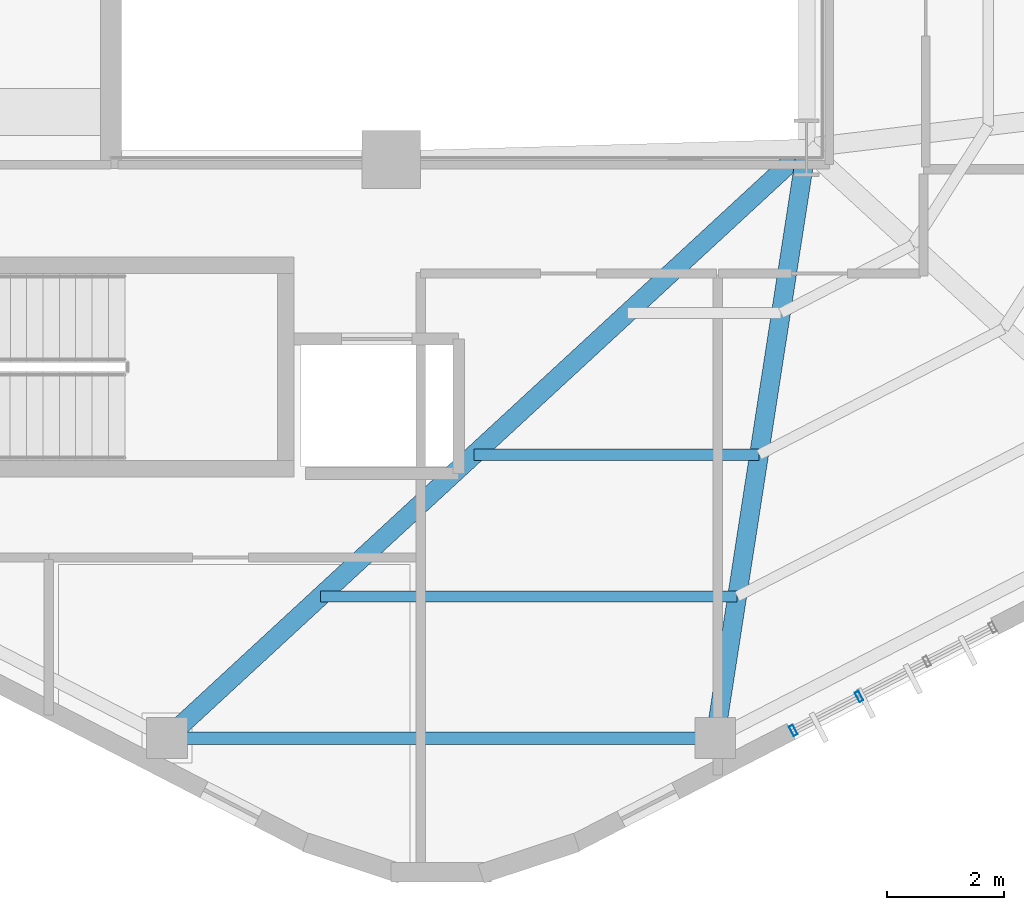
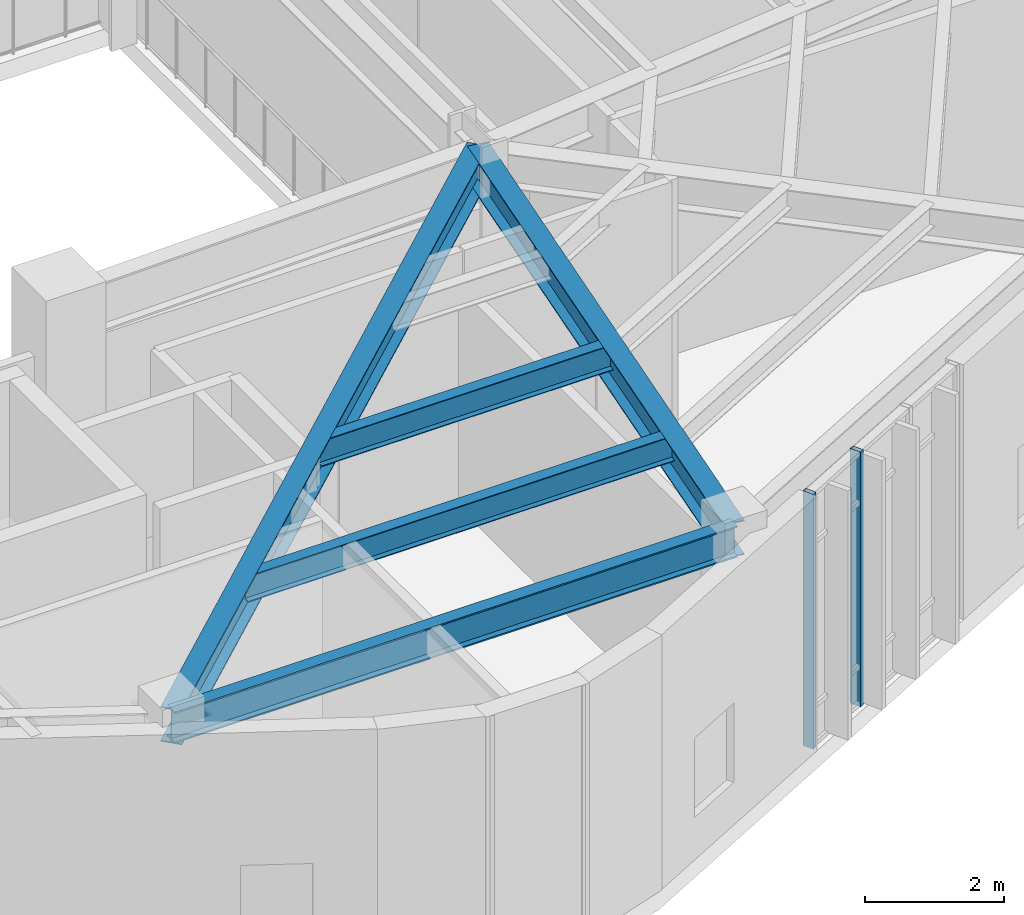
# One storey, part 3 of 18: 5 beams, 2 members, 1 element without a shape of its own.
"""IFC4 building model written with IfcOpenShell, lengths in metres."""

import ifcopenshell
import ifcopenshell.guid

model = None  # the IFC model being written
_history = None  # IfcOwnerHistory: only IFC2X3 demands one
_inside = {}  # id of a spatial element -> (the spatial element, [elements in it])
_under = {}  # id of a project, library or spatial element -> (it, [spatial elements below it])
_declared = {}  # id of a project -> (the project, [libraries it declares])
_typed = {}  # id of a type object -> (the type object, [elements of that type])
_made_of = {}  # id of a material, layer set ... -> (it, [elements and type objects made of it])


def new_model(schema):
    """Start an empty IFC model of exactly this schema.

    Asked for "IFC4X3", IfcOpenShell would pick the latest addendum, in which some entities
    have other attributes; the version numbers below select the first issue.
    IFC2X3 requires an IfcOwnerHistory on every rooted entity: one is made here for all.
    """
    global model, _history
    if schema == "IFC4X3":
        model = ifcopenshell.file(schema_version=(4, 3, 0, 0))
    else:
        model = ifcopenshell.file(schema=schema)
    _inside.clear()
    _under.clear()
    _declared.clear()
    _typed.clear()
    _made_of.clear()
    _history = None
    if model.schema == "IFC2X3":
        org = make("IfcOrganization", Name="unknown")
        user = make(
            "IfcPersonAndOrganization",
            ThePerson=make("IfcPerson", FamilyName="unknown"),
            TheOrganization=org,
        )
        app = make(
            "IfcApplication",
            ApplicationDeveloper=org,
            Version="unknown",
            ApplicationFullName="unknown",
            ApplicationIdentifier="unknown",
        )
        _history = make(
            "IfcOwnerHistory",
            OwningUser=user,
            OwningApplication=app,
            ChangeAction="ADDED",
            CreationDate=0,
        )
    return model


def make(cls, **values):
    """One entity of the class cls with the attributes given. An attribute that is None is left unset."""
    return model.create_entity(
        cls, **{name: value for name, value in values.items() if value is not None}
    )


def rooted(cls, **values):
    """An entity with a GlobalId (a new one), such as an element, a storey or a relation."""
    return make(cls, GlobalId=ifcopenshell.guid.new(), OwnerHistory=_history, **values)


def si_unit(unit_type, name, prefix=None):
    """IfcSIUnit, for example si_unit("LENGTHUNIT", "METRE", prefix="MILLI")."""
    return make("IfcSIUnit", UnitType=unit_type, Prefix=prefix, Name=name)


def assignment(units):
    """IfcUnitAssignment: the units of a project."""
    return None if units is None else make("IfcUnitAssignment", Units=units)


def point(xyz):
    """IfcCartesianPoint."""
    return None if xyz is None else make("IfcCartesianPoint", Coordinates=xyz)


def direction(xyz):
    """IfcDirection."""
    return None if xyz is None else make("IfcDirection", DirectionRatios=xyz)


def frame(location, z_axis=None, x_axis=None):
    """IfcAxis2Placement3D, a coordinate frame: its origin and axes. An axis left out is left unset."""
    return make(
        "IfcAxis2Placement3D",
        Location=point(location),
        Axis=direction(z_axis),
        RefDirection=direction(x_axis),
    )


def frame_2d(location, x_axis=None):
    """IfcAxis2Placement2D, a coordinate frame in the plane: its origin and x axis."""
    return make(
        "IfcAxis2Placement2D", Location=point(location), RefDirection=direction(x_axis)
    )


def origin():
    """The frame at (0, 0, 0) with its axes left unset."""
    return frame((0.0, 0.0, 0.0))


def origin_2d():
    """The frame at (0, 0) in the plane with its x axis left unset."""
    return frame_2d((0.0, 0.0))


def place(relative_to, where):
    """IfcLocalPlacement: puts the frame where relative to a parent placement (None: the world)."""
    return make(
        "IfcLocalPlacement", PlacementRelTo=relative_to, RelativePlacement=where
    )


def context(
    kind, dimensions, precision=None, world=None, true_north=None, identifier=None
):
    """IfcGeometricRepresentationContext, for example the 3D "Model" context."""
    return make(
        "IfcGeometricRepresentationContext",
        ContextIdentifier=identifier,
        ContextType=kind,
        CoordinateSpaceDimension=dimensions,
        Precision=precision,
        WorldCoordinateSystem=world,
        TrueNorth=true_north,
    )


def subcontext(parent, identifier, kind, view, scale=None):
    """IfcGeometricRepresentationSubContext, for example "Body" below "Model"."""
    return make(
        "IfcGeometricRepresentationSubContext",
        ContextIdentifier=identifier,
        ContextType=kind,
        ParentContext=parent,
        TargetScale=scale,
        TargetView=view,
    )


def project(units=None, contexts=None):
    """IfcProject with its units and contexts."""
    return rooted(
        "IfcProject",
        Name="project",
        RepresentationContexts=contexts,
        UnitsInContext=assignment(units),
    )


def spatial(cls, under=None, at=None, **own):
    """A site, building, storey or space (cls), placed at a placement, below another one or the project."""
    s = rooted(cls, ObjectPlacement=at, **own)
    if under is not None:
        _under.setdefault(under.id(), (under, []))[1].append(s)
    return s


def profile(cls, at=None, kind="AREA", **sizes):
    """A parametric profile (cls). Its sizes go by their IFC names, for example OverallWidth=200.0."""
    return make(cls, ProfileType=kind, Position=at, **sizes)


def hollow_rectangle(**sizes):
    """IfcRectangleHollowProfileDef."""
    return profile("IfcRectangleHollowProfileDef", **sizes)


def i_section(**sizes):
    """IfcIShapeProfileDef."""
    return profile("IfcIShapeProfileDef", **sizes)


def extrude(swept, where, along, depth):
    """IfcExtrudedAreaSolid: the profile swept, set in the frame where, extruded along a direction by depth."""
    return make(
        "IfcExtrudedAreaSolid",
        SweptArea=swept,
        Position=where,
        ExtrudedDirection=direction(along),
        Depth=depth,
    )


def shape(context_of_items, identifier, shape_type, items):
    """IfcShapeRepresentation: the items that make up one representation, for example the "Body"."""
    return make(
        "IfcShapeRepresentation",
        ContextOfItems=context_of_items,
        RepresentationIdentifier=identifier,
        RepresentationType=shape_type,
        Items=items,
    )


def material(Name=None, Category=None):
    """IfcMaterial."""
    return make("IfcMaterial", Name=Name, Category=Category)


def layer(
    of_material, thickness, ventilated=None, Name=None, Category=None, Priority=None
):
    """IfcMaterialLayer: one layer of a wall or slab, of a material (None: an air gap)."""
    return make(
        "IfcMaterialLayer",
        Material=of_material,
        LayerThickness=thickness,
        IsVentilated=ventilated,
        Name=Name,
        Category=Category,
        Priority=Priority,
    )


def layer_set(layers, Name=None):
    """IfcMaterialLayerSet."""
    return make("IfcMaterialLayerSet", MaterialLayers=layers, LayerSetName=Name)


def material_profile(
    of_material, cross_section, Name=None, Category=None, Priority=None
):
    """IfcMaterialProfile: a cross section and its material."""
    return make(
        "IfcMaterialProfile",
        Name=Name,
        Material=of_material,
        Profile=cross_section,
        Priority=Priority,
        Category=Category,
    )


def profile_set(profiles, Name=None, composite=None):
    """IfcMaterialProfileSet."""
    return make(
        "IfcMaterialProfileSet",
        Name=Name,
        MaterialProfiles=profiles,
        CompositeProfile=composite,
    )


def made_of(thing, what):
    """Note that an element or type object is made of a material, layer set ...; save() writes the relation."""
    if what is not None:
        _made_of.setdefault(what.id(), (what, []))[1].append(thing)
    return thing


def type_object(cls, material=None, **own):
    """A type object (cls), such as IfcWallType, which elements share."""
    return made_of(rooted(cls, **own), material)


def element(
    cls,
    number,
    at=None,
    inside=None,
    cuts=None,
    type_object=None,
    material=None,
    context=None,
    identifier="Body",
    shape_type=None,
    held_by="IfcProductDefinitionShape",
    body=None,
    shapes=None,
    **own,
):
    """One element of the class cls, such as IfcWall. Its Tag is "e" and its number.

    at: its placement. inside: the storey or other place that contains it. cuts: it is an
    opening in that element (IfcRelVoidsElement). A single representation is given by context,
    identifier, shape_type and body (its items); several are given by shapes. held_by: the class
    of the entity that holds the representations. save() writes the other relations.
    """
    e = rooted(cls, Tag="e%d" % number, ObjectPlacement=at, **own)
    if body is not None:
        shapes = [shape(context, identifier, shape_type, body)]
    if shapes is not None:
        e.Representation = make(held_by, Representations=shapes)
    if inside is not None:
        _inside.setdefault(inside.id(), (inside, []))[1].append(e)
    if cuts is not None:
        rooted(
            "IfcRelVoidsElement", RelatingBuildingElement=cuts, RelatedOpeningElement=e
        )
    if type_object is not None:
        _typed.setdefault(type_object.id(), (type_object, []))[1].append(e)
    return made_of(e, material)


def aggregate(whole, parts):
    """IfcRelAggregates: a whole, such as a stair, and the parts it consists of."""
    return rooted("IfcRelAggregates", RelatingObject=whole, RelatedObjects=parts)


def save(model, path):
    """Write the relations noted so far, then the file.

    IfcRelAggregates (storeys below a building ...), IfcRelContainedInSpatialStructure (elements
    in a storey), IfcRelDefinesByType, IfcRelAssociatesMaterial and IfcRelDeclares: one each for
    every whole, place, type object, material and project.
    """
    for whole, parts in _under.values():
        aggregate(whole, parts)
    for where, things in _inside.values():
        rooted(
            "IfcRelContainedInSpatialStructure",
            RelatedElements=things,
            RelatingStructure=where,
        )
    for kind, things in _typed.values():
        rooted("IfcRelDefinesByType", RelatedObjects=things, RelatingType=kind)
    for what, things in _made_of.values():
        rooted("IfcRelAssociatesMaterial", RelatedObjects=things, RelatingMaterial=what)
    for by, libraries in _declared.values():
        rooted("IfcRelDeclares", RelatingContext=by, RelatedDefinitions=libraries)
    model.write(path)


model = new_model("IFC4")

# Units and contexts
model_context = context("Model", 3, precision=1e-05, world=origin(), true_north=direction((0.0, 1.0)))
body_context = subcontext(model_context, "Body", "Model", "MODEL_VIEW")
ifc_project = project(units=[si_unit("LENGTHUNIT", "METRE"), si_unit("AREAUNIT", "SQUARE_METRE"), si_unit("VOLUMEUNIT", "CUBIC_METRE"), si_unit("PLANEANGLEUNIT", "RADIAN"), si_unit("MASSUNIT", "GRAM", prefix="KILO"), si_unit("THERMODYNAMICTEMPERATUREUNIT", "KELVIN"), si_unit("POWERUNIT", "WATT")], contexts=[model_context])

# Site, building, storey
site_placement = place(None, origin())
site = spatial("IfcSite", under=ifc_project, at=site_placement, CompositionType="ELEMENT")
building_placement = place(site_placement, origin())
building = spatial("IfcBuilding", under=site, at=building_placement, Name="Skarre Station Tower", CompositionType="ELEMENT")
storey_placement = place(building_placement, frame((0.0, 0.0, 270.300048828125)))
storey = spatial("IfcBuildingStorey", under=building, at=storey_placement, Name="L74", CompositionType="ELEMENT", Elevation=270.300048828125)

# Curtain wall, members
ifc_material_1 = material(Name="Thermally Broken Bronze-Anodized Aluminium & Triple Low-E Glass", Category="aluminium")
ifc_layer = layer(ifc_material_1, 0.219970703125, Name="Thermally Broken Bronze-Anodized Aluminium & Triple Low-E Glass")
ifc_layer_set = layer_set([ifc_layer], Name="Thermally Broken Bronze-Anodized Aluminium & Triple Low-E Glass")
curtain_wall_type = type_object("IfcCurtainWallType", Name="Observation Deck Panorama Unitised Curtain Wall", PredefinedType="NOTDEFINED", material=ifc_layer_set)
curtain_wall_placement = place(storey_placement, origin())
curtain_wall = element("IfcCurtainWall", 1, at=curtain_wall_placement, inside=storey, type_object=curtain_wall_type, Name="L74 Facet 4 Observatory Curtain Wall", PredefinedType="NOTDEFINED")
ifc_material_2 = material(Name="Anodized Aluminium 6063-T6", Category="aluminium")
ifc_material_profile_1 = material_profile(ifc_material_2, hollow_rectangle(XDim=0.074951171875, YDim=0.179931640625, WallThickness=0.00390625, at=origin_2d()), Name="Anodized Aluminium 6063-T6")
ifc_profile_set_1 = profile_set([ifc_material_profile_1], Name="Anodized Aluminium 6063-T6")
member_type = type_object("IfcMemberType", Name="Curtain-Wall Unitised Tower Mullion 180x75", PredefinedType="MULLION", material=ifc_profile_set_1)
member_1_placement = place(storey_placement, frame((40.34912109375, 9.26611328125, 0.0), z_axis=(0.0, 0.0, 1.0), x_axis=(-0.88848110948, -0.458913192332, 0.0)))
member_1 = element("IfcMember", 2, at=member_1_placement, type_object=member_type, Name="L74 Facet 4 Observatory Curtain Wall Mullion 3", PredefinedType="MULLION", context=body_context, shape_type="SweptSolid", body=[
    extrude(hollow_rectangle(XDim=0.074951171875, YDim=0.179931640625, WallThickness=0.00390625, at=origin_2d()), origin(), (0.0, 0.0, 1.0), 4.489990234375),
])
member_2_placement = place(storey_placement, frame((39.22412109375, 8.68408203125, 0.0), z_axis=(0.0, 0.0, 1.0), x_axis=(-0.88848110948, -0.458913192332, 0.0)))
member_2 = element("IfcMember", 3, at=member_2_placement, type_object=member_type, Name="L74 Facet 4 Observatory Curtain Wall Mullion 4", PredefinedType="MULLION", context=body_context, shape_type="SweptSolid", body=[
    extrude(hollow_rectangle(XDim=0.074951171875, YDim=0.179931640625, WallThickness=0.00390625, at=origin_2d()), origin(), (0.0, 0.0, 1.0), 4.489990234375),
])
aggregate(curtain_wall, [member_1, member_2])

# Beams
ifc_material_3 = material(Name="Steel ASTM A992 Grade 50", Category="steel")
ifc_material_profile_2 = material_profile(ifc_material_3, i_section(OverallWidth=0.323974609375, OverallDepth=0.611083984375, WebThickness=0.012939453125, FlangeThickness=0.01904296875, at=origin_2d()), Name="Steel ASTM A992 Grade 50")
ifc_profile_set_2 = profile_set([ifc_material_profile_2], Name="Steel ASTM A992 Grade 50")
beam_type_1 = type_object("IfcBeamType", Name="Steel Beam W24X104", PredefinedType="BEAM", material=ifc_profile_set_2)
beam_1_placement = place(storey_placement, frame((39.449951171875, 18.64990234375, 4.18505859375), z_axis=(-0.734822935818, -0.678258986668, 0.0), x_axis=(0.678258986668, -0.734822935818, 0.0)))
element("IfcBeam", 4, at=beam_1_placement, inside=storey, type_object=beam_type_1, Name="L74 Radial Floor Girder F3C2", PredefinedType="BEAM", context=body_context, shape_type="SweptSolid", body=[
    extrude(i_section(OverallWidth=0.323974609375, OverallDepth=0.611083984375, WebThickness=0.012939453125, FlangeThickness=0.01904296875, at=origin_2d()), origin(), (0.0, 0.0, 1.0), 14.886474609375),
])
beam_2_placement = place(storey_placement, frame((39.449951171875, 18.64990234375, 4.18505859375), z_axis=(-0.152789762931, -0.988258715288, 0.0), x_axis=(0.988258715288, -0.152789762931, 0.0)))
element("IfcBeam", 5, at=beam_2_placement, inside=storey, type_object=beam_type_1, Name="L74 Radial Floor Girder F4C1", PredefinedType="BEAM", context=body_context, shape_type="SweptSolid", body=[
    extrude(i_section(OverallWidth=0.323974609375, OverallDepth=0.611083984375, WebThickness=0.012939453125, FlangeThickness=0.01904296875, at=origin_2d()), origin(), (0.0, 0.0, 1.0), 10.216796875),
])
ifc_material_profile_3 = material_profile(ifc_material_3, i_section(OverallWidth=0.19091796875, OverallDepth=0.45703125, WebThickness=0.009033203125, FlangeThickness=0.013916015625, at=origin_2d()), Name="Steel ASTM A992 Grade 50")
ifc_profile_set_3 = profile_set([ifc_material_profile_3], Name="Steel ASTM A992 Grade 50")
beam_type_2 = type_object("IfcBeamType", Name="Steel Joist W18X50", PredefinedType="JOIST", material=ifc_profile_set_3)
beam_3_placement = place(storey_placement, frame((33.761962890625, 13.39990234375, 4.261962890625), z_axis=(1.0, 0.0, 0.0), x_axis=(0.0, 1.0, 0.0)))
element("IfcBeam", 6, at=beam_3_placement, inside=storey, type_object=beam_type_2, Name="L74 Auxiliary Composite Joist 13", PredefinedType="JOIST", context=body_context, shape_type="SweptSolid", body=[
    extrude(i_section(OverallWidth=0.19091796875, OverallDepth=0.45703125, WebThickness=0.009033203125, FlangeThickness=0.013916015625, at=origin_2d()), origin(), (0.0, 0.0, 1.0), 4.8759765625),
])
beam_4_placement = place(storey_placement, frame((31.135986328125, 10.97607421875, 4.261962890625), z_axis=(1.0, 0.0, 0.0), x_axis=(0.0, 1.0, 0.0)))
element("IfcBeam", 7, at=beam_4_placement, inside=storey, type_object=beam_type_2, Name="L74 Auxiliary Composite Joist 14", PredefinedType="JOIST", context=body_context, shape_type="SweptSolid", body=[
    extrude(i_section(OverallWidth=0.19091796875, OverallDepth=0.45703125, WebThickness=0.009033203125, FlangeThickness=0.013916015625, at=origin_2d()), origin(), (0.0, 0.0, 1.0), 7.1279296875),
])
ifc_material_profile_4 = material_profile(ifc_material_3, i_section(OverallWidth=0.214111328125, OverallDepth=0.549072265625, WebThickness=0.014892578125, FlangeThickness=0.02392578125, at=origin_2d()), Name="Steel ASTM A992 Grade 50")
ifc_profile_set_4 = profile_set([ifc_material_profile_4], Name="Steel ASTM A992 Grade 50")
beam_type_3 = type_object("IfcBeamType", Name="Steel Spandrel W21X93", PredefinedType="SPANDREL", material=ifc_profile_set_4)
beam_5_placement = place(storey_placement, frame((28.510986328125, 8.552978515625, 4.216064453125), z_axis=(1.0, 0.0, 0.0), x_axis=(0.0, 1.0, 0.0)))
element("IfcBeam", 8, at=beam_5_placement, inside=storey, type_object=beam_type_3, Name="L74 Facet Spandrel Beam 8", PredefinedType="SPANDREL", context=body_context, shape_type="SweptSolid", body=[
    extrude(i_section(OverallWidth=0.214111328125, OverallDepth=0.549072265625, WebThickness=0.014892578125, FlangeThickness=0.02392578125, at=origin_2d()), origin(), (0.0, 0.0, 1.0), 9.3779296875),
])

save(model, "model.ifc")
